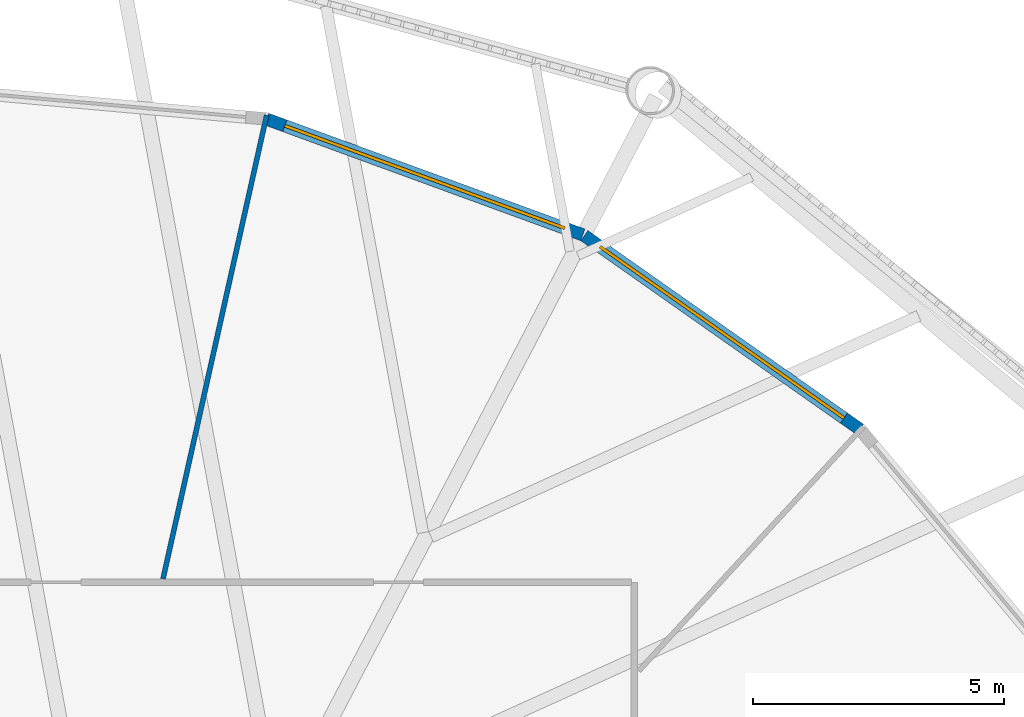
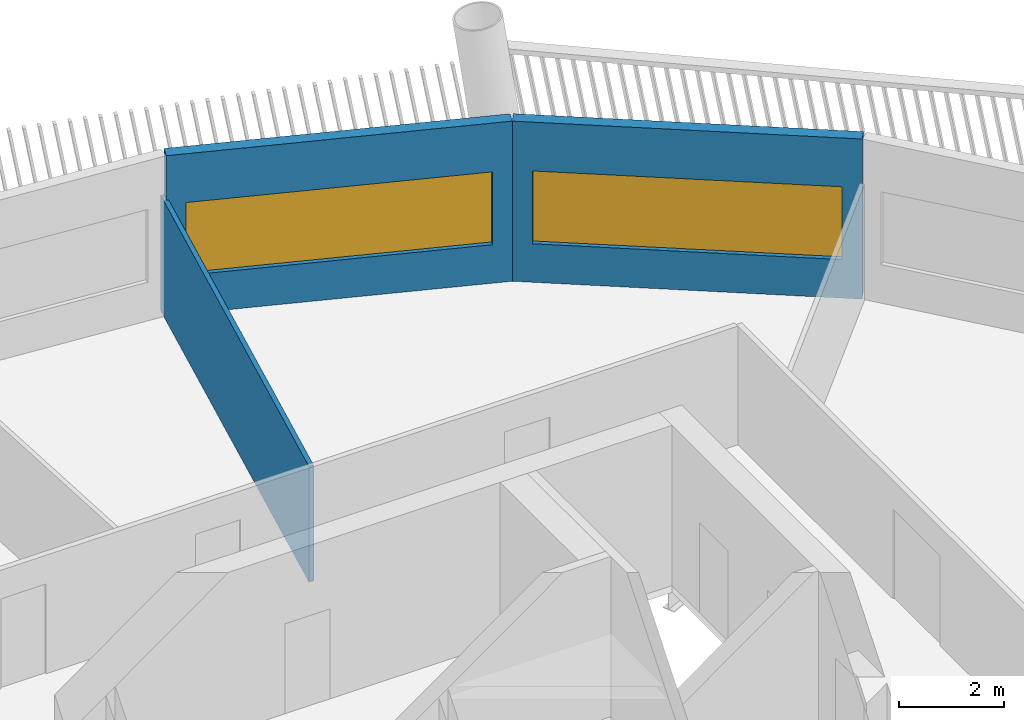
# One storey, part 7 of 15: 3 walls, 2 windows, 2 openings.
"""IFC4 building model written with IfcOpenShell, lengths in metres."""

from ifc_helpers import new_model, si_unit, direction, frame, frame_2d, origin, place, context, subcontext, project, spatial, rectangle, extrude, material, layer, layer_set, type_object, element, fill, save


model = new_model("IFC4")

# Units and contexts
model_context = context("Model", 3, precision=1e-05, world=origin(), true_north=direction((0.0, 1.0)))
body_context = subcontext(model_context, "Body", "Model", "MODEL_VIEW")
ifc_project = project(units=[si_unit("LENGTHUNIT", "METRE"), si_unit("AREAUNIT", "SQUARE_METRE"), si_unit("VOLUMEUNIT", "CUBIC_METRE"), si_unit("PLANEANGLEUNIT", "RADIAN"), si_unit("MASSUNIT", "GRAM", prefix="KILO")], contexts=[model_context])

# Site, building, storey
site_placement = place(None, origin())
site = spatial("IfcSite", under=ifc_project, at=site_placement, CompositionType="ELEMENT")
building_placement = place(site_placement, origin())
building = spatial("IfcBuilding", under=site, at=building_placement, Name="Tarsis Ring Headquarters", CompositionType="ELEMENT")
storey_placement = place(building_placement, frame((0.0, 0.0, 327.5)))
storey = spatial("IfcBuildingStorey", under=building, at=storey_placement, Name="L77", CompositionType="ELEMENT", Elevation=327.5)

# Wall
ifc_material_1 = material(Name="Gypsum board on steel studs", Category="steel")
ifc_layer_1 = layer(ifc_material_1, 0.10009765625)
ifc_layer_set_1 = layer_set([ifc_layer_1], Name="FL partition 100 unrated")
wall_type_1 = type_object("IfcWallType", Name="FL partition 100 unrated", PredefinedType="PARTITIONING", material=ifc_layer_set_1)
wall_1_placement = place(storey_placement, frame((3.591796875, 16.068359375, 0.0), z_axis=(0.0, 0.0, 1.0), x_axis=(0.218137886552, 0.975917958873, 0.0)))
element("IfcWall", 1, at=wall_1_placement, inside=storey, type_object=wall_type_1, Name="Partition PW3", PredefinedType="PARTITIONING", context=body_context, shape_type="SweptSolid", body=[
    extrude(rectangle(XDim=9.48291015625, YDim=0.10009765625, at=frame_2d((4.741455078125, 0.0))), origin(), (0.0, 0.0, 1.0), 2.699951171875),
])

# Wall, opening, window
ifc_material_2 = material(Name="Terracotta clad insulated panel wall", Category="masonry")
ifc_layer_2 = layer(ifc_material_2, 0.25)
ifc_layer_set_2 = layer_set([ifc_layer_2], Name="Facade wall terracotta panel 250")
wall_type_2 = type_object("IfcWallType", Name="Facade wall terracotta panel 250", PredefinedType="STANDARD", material=ifc_layer_set_2)
wall_2_placement = place(storey_placement, frame((17.5, 19.05517578125, 0.0), z_axis=(0.0, 0.0, 1.0), x_axis=(-0.818146900541, 0.575009260043, 0.0)))
wall_2 = element("IfcWall", 2, at=wall_2_placement, inside=storey, type_object=wall_type_2, Name="External wall L77-23", PredefinedType="STANDARD", context=body_context, shape_type="SweptSolid", body=[
    extrude(rectangle(XDim=6.7216796875, YDim=0.25, at=frame_2d((3.36083984375, 0.0))), origin(), (0.0, 0.0, 1.0), 3.739990234375),
])
opening_1_placement = place(wall_2_placement, frame((0.3857421875, 0.0, 0.89990234375)))
opening_1 = element("IfcOpeningElement", 3, at=opening_1_placement, cuts=wall_2, Name="Opening WN07", PredefinedType="OPENING", context=body_context, shape_type="SweptSolid", body=[
    extrude(rectangle(XDim=5.949951171875, YDim=1.699951171875, at=frame_2d((2.97509765625, 0.85009765625))), frame((0.0, 0.135009765625, 0.0), z_axis=(0.0, -1.0, 0.0), x_axis=(1.0, 0.0, 0.0)), (0.0, 0.0, 1.0), 0.27001953125),
])
ifc_material_3 = material(Name="Aluminium framed double glazing", Category="aluminium")
window_type = type_object("IfcWindowType", Name="Facade window 5950 x 1700", PartitioningType="SINGLE_PANEL", PredefinedType="WINDOW", material=ifc_material_3)
window_1_placement = place(opening_1_placement, origin())
window_1 = element("IfcWindow", 4, at=window_1_placement, inside=storey, type_object=window_type, Name="Window L77-23.1", OverallHeight=1.699951171875, OverallWidth=5.949951171875, PartitioningType="SINGLE_PANEL", PredefinedType="WINDOW", context=body_context, shape_type="SweptSolid", body=[
    extrude(rectangle(XDim=5.949951171875, YDim=1.699951171875, at=frame_2d((2.97509765625, 0.85009765625))), frame((0.0, 0.030029296875, 0.0), z_axis=(0.0, -1.0, 0.0), x_axis=(1.0, 0.0, 0.0)), (0.0, 0.0, 1.0), 0.06005859375),
])
fill(opening_1, window_1)

wall_3_placement = place(storey_placement, frame((11.971923828125, 22.935302734375, 0.0), z_axis=(0.0, 0.0, 1.0), x_axis=(-0.939101125744, 0.343640910875, 0.0)))
wall_3 = element("IfcWall", 5, at=wall_3_placement, inside=storey, type_object=wall_type_2, Name="External wall L77-24", PredefinedType="STANDARD", context=body_context, shape_type="SweptSolid", body=[
    extrude(rectangle(XDim=6.7216796875, YDim=0.25, at=frame_2d((3.36083984375, 0.0))), origin(), (0.0, 0.0, 1.0), 3.739990234375),
])
opening_2_placement = place(wall_3_placement, frame((0.3857421875, 0.0, 0.89990234375)))
opening_2 = element("IfcOpeningElement", 6, at=opening_2_placement, cuts=wall_3, Name="Opening WN07", PredefinedType="OPENING", context=body_context, shape_type="SweptSolid", body=[
    extrude(rectangle(XDim=5.949951171875, YDim=1.699951171875, at=frame_2d((2.97509765625, 0.85009765625))), frame((0.0, 0.135009765625, 0.0), z_axis=(0.0, -1.0, 0.0), x_axis=(1.0, 0.0, 0.0)), (0.0, 0.0, 1.0), 0.27001953125),
])
window_2_placement = place(opening_2_placement, origin())
window_2 = element("IfcWindow", 7, at=window_2_placement, inside=storey, type_object=window_type, Name="Window L77-24.1", OverallHeight=1.699951171875, OverallWidth=5.949951171875, PartitioningType="SINGLE_PANEL", PredefinedType="WINDOW", context=body_context, shape_type="SweptSolid", body=[
    extrude(rectangle(XDim=5.949951171875, YDim=1.699951171875, at=frame_2d((2.97509765625, 0.85009765625))), frame((0.0, 0.030029296875, 0.0), z_axis=(0.0, -1.0, 0.0), x_axis=(1.0, 0.0, 0.0)), (0.0, 0.0, 1.0), 0.06005859375),
])
fill(opening_2, window_2)

save(model, "model.ifc")
